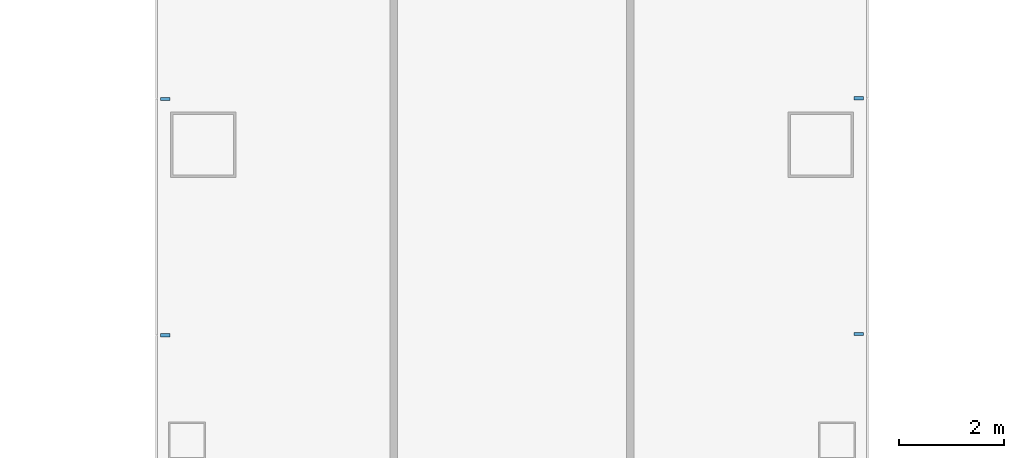
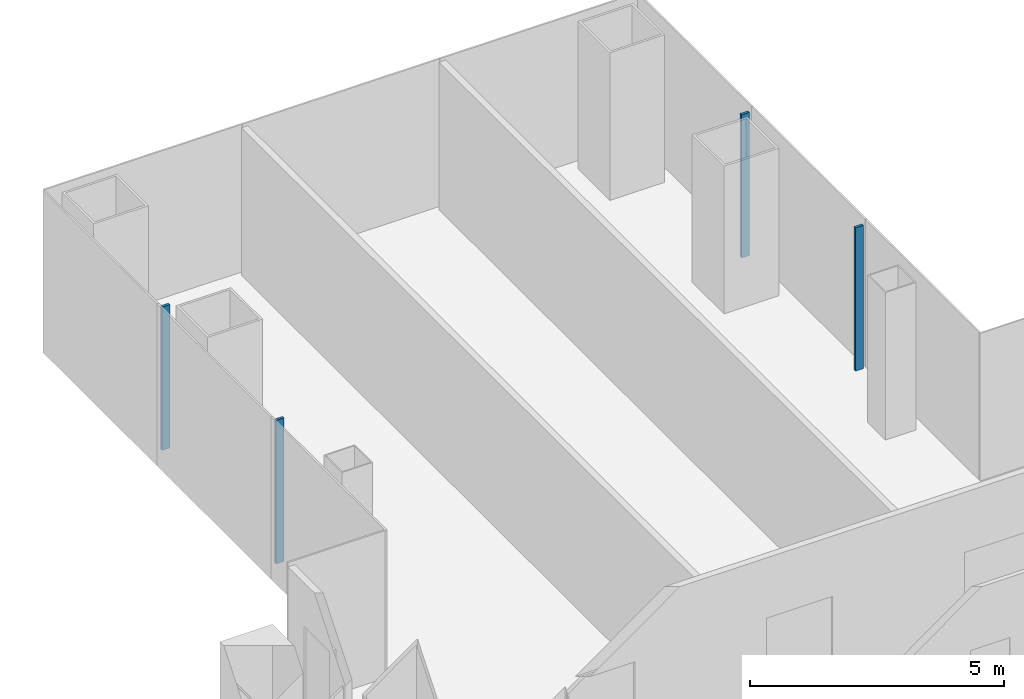
# One storey, part 8 of 20: 4 members, 2 elements without a shape of their own.
"""IFC4 building model written with IfcOpenShell, lengths in metres."""

from ifc_helpers import new_model, si_unit, direction, frame, origin, origin_2d, place, context, subcontext, project, spatial, rectangle, extrude, material, layer, layer_set, material_profile, profile_set, type_object, element, aggregate, save


model = new_model("IFC4")

# Units and contexts
model_context = context("Model", 3, precision=1e-05, world=origin(), true_north=direction((0.0, 1.0)))
body_context = subcontext(model_context, "Body", "Model", "MODEL_VIEW")
ifc_project = project(units=[si_unit("LENGTHUNIT", "METRE"), si_unit("AREAUNIT", "SQUARE_METRE"), si_unit("VOLUMEUNIT", "CUBIC_METRE"), si_unit("PLANEANGLEUNIT", "RADIAN"), si_unit("MASSUNIT", "GRAM", prefix="KILO")], contexts=[model_context])

# Site, building, storey
site_placement = place(None, origin())
site = spatial("IfcSite", under=ifc_project, at=site_placement, CompositionType="ELEMENT")
building_placement = place(site_placement, origin())
building = spatial("IfcBuilding", under=site, at=building_placement, Name="Shamsa Quay Exchange Towers", CompositionType="ELEMENT")
storey_placement = place(building_placement, frame((0.0, 0.0, 120.89990234375)))
storey = spatial("IfcBuildingStorey", under=building, at=storey_placement, Name="L28", CompositionType="ELEMENT", Elevation=120.89990234375)

# Curtain wall, members
ifc_material = material(Name="Aluminium EN AW-6063 T6, black anodised", Category="aluminium")
ifc_layer = layer(ifc_material, 0.280029296875)
ifc_layer_set = layer_set([ifc_layer], Name="CW-1 UNITISED VISION GLASS")
curtain_wall_type = type_object("IfcCurtainWallType", Name="CW-1 UNITISED VISION GLASS", PredefinedType="NOTDEFINED", material=ifc_layer_set)
curtain_wall_1_placement = place(storey_placement, origin())
curtain_wall_1 = element("IfcCurtainWall", 1, at=curtain_wall_1_placement, inside=storey, type_object=curtain_wall_type, Name="CW1 T2-FLK-U+S L28", PredefinedType="NOTDEFINED")
ifc_material_profile = material_profile(ifc_material, rectangle(XDim=0.179931640625, YDim=0.06005859375, at=origin_2d()), Name="MU60x180")
ifc_profile_set = profile_set([ifc_material_profile], Name="Aluminium EN AW-6063 T6, black anodised")
member_type = type_object("IfcMemberType", Name="CW1 MULLION 60x180", PredefinedType="MULLION", material=ifc_profile_set)
member_1_placement = place(storey_placement, frame((40.35009765625, 15.775390625, 0.0), z_axis=(0.0, 0.0, 1.0), x_axis=(-1.0, 0.0, 0.0)))
member_1 = element("IfcMember", 2, at=member_1_placement, type_object=member_type, Name="CW1 mullion", PredefinedType="MULLION", context=body_context, shape_type="SweptSolid", body=[
    extrude(rectangle(XDim=0.179931640625, YDim=0.06005859375, at=origin_2d()), origin(), (0.0, 0.0, 1.0), 3.4501953125),
])
member_2_placement = place(storey_placement, frame((40.35009765625, 20.2626953125, 0.0), z_axis=(0.0, 0.0, 1.0), x_axis=(-1.0, 0.0, 0.0)))
member_2 = element("IfcMember", 3, at=member_2_placement, type_object=member_type, Name="CW1 mullion", PredefinedType="MULLION", context=body_context, shape_type="SweptSolid", body=[
    extrude(rectangle(XDim=0.179931640625, YDim=0.06005859375, at=origin_2d()), origin(), (0.0, 0.0, 1.0), 3.4501953125),
])
aggregate(curtain_wall_1, [member_1, member_2])

curtain_wall_2_placement = place(storey_placement, origin())
curtain_wall_2 = element("IfcCurtainWall", 4, at=curtain_wall_2_placement, inside=storey, type_object=curtain_wall_type, Name="CW1 T2-FLK-U+N L28", PredefinedType="NOTDEFINED")
member_3_placement = place(storey_placement, frame((27.14990234375, 20.25, 0.0)))
member_3 = element("IfcMember", 5, at=member_3_placement, type_object=member_type, Name="CW1 mullion", PredefinedType="MULLION", context=body_context, shape_type="SweptSolid", body=[
    extrude(rectangle(XDim=0.179931640625, YDim=0.06005859375, at=origin_2d()), origin(), (0.0, 0.0, 1.0), 3.4501953125),
])
member_4_placement = place(storey_placement, frame((27.14990234375, 15.75, 0.0)))
member_4 = element("IfcMember", 6, at=member_4_placement, type_object=member_type, Name="CW1 mullion", PredefinedType="MULLION", context=body_context, shape_type="SweptSolid", body=[
    extrude(rectangle(XDim=0.179931640625, YDim=0.06005859375, at=origin_2d()), origin(), (0.0, 0.0, 1.0), 3.4501953125),
])
aggregate(curtain_wall_2, [member_3, member_4])

save(model, "model.ifc")
